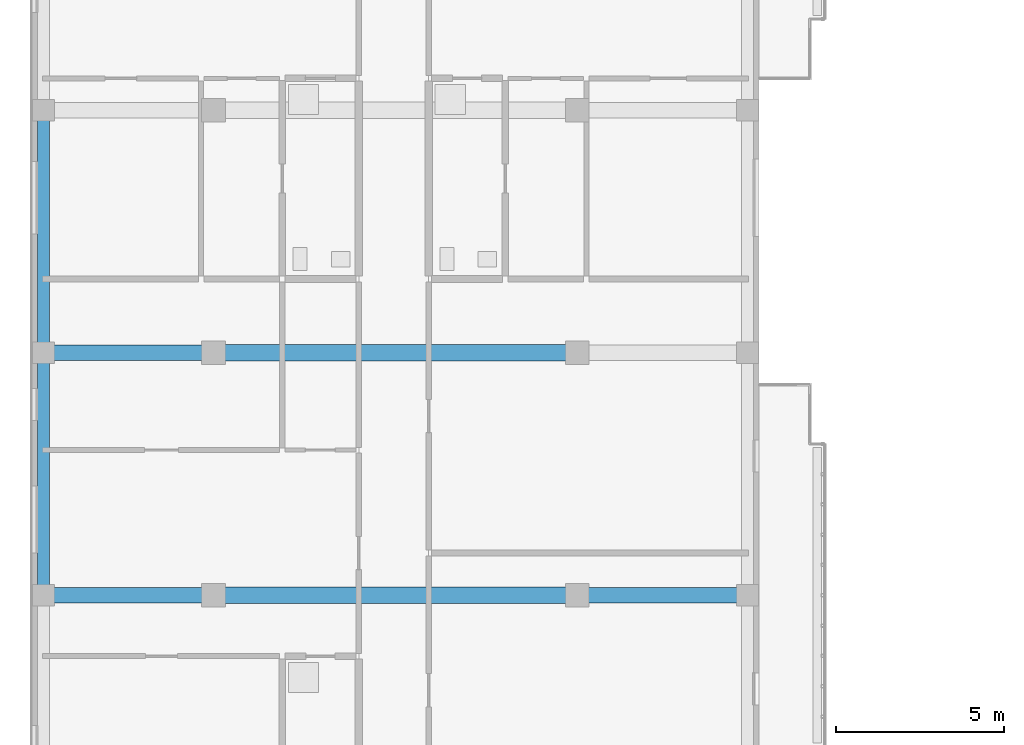
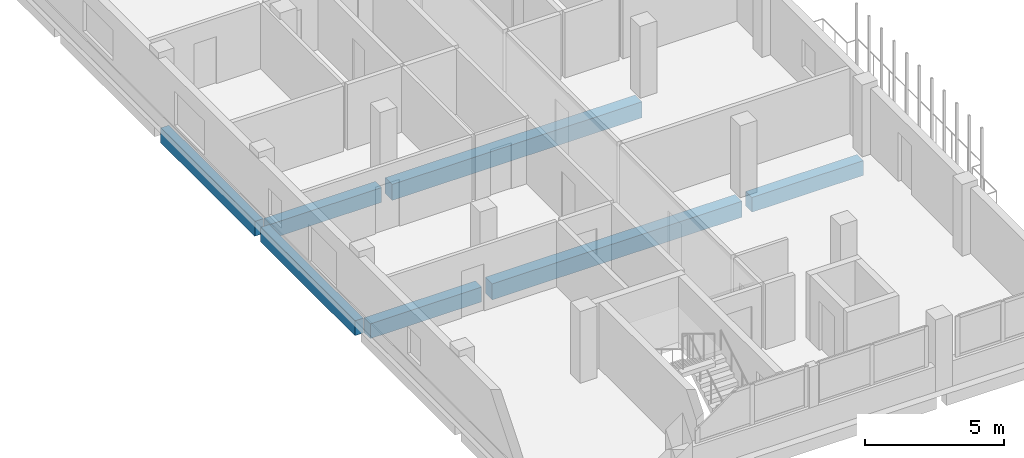
# One storey, part 10 of 51: 7 beams.
"""IFC4 building model written with IfcOpenShell, lengths in metres."""

from ifc_helpers import new_model, si_unit, derived_unit, direction, frame, origin, origin_2d, place, context, subcontext, project, spatial, rectangle, extrude, material, material_profile, profile_set, type_object, element, save


model = new_model("IFC4")

# Units and contexts
model_context = context("Model", 3, precision=1e-05, world=origin(), true_north=direction((0.0, 1.0)))
body_context = subcontext(model_context, "Body", "Model", "MODEL_VIEW")
ifc_project = project(units=[si_unit("LENGTHUNIT", "METRE"), si_unit("AREAUNIT", "SQUARE_METRE"), si_unit("VOLUMEUNIT", "CUBIC_METRE"), si_unit("PLANEANGLEUNIT", "RADIAN"), si_unit("MASSUNIT", "GRAM", prefix="KILO"), derived_unit("THERMALTRANSMITTANCEUNIT", [(si_unit("MASSUNIT", "GRAM", prefix="KILO"), 1), (si_unit("TIMEUNIT", "SECOND"), -3), (si_unit("THERMODYNAMICTEMPERATUREUNIT", "KELVIN"), -1)])], contexts=[model_context])

# Site, building, storey
site_placement = place(None, origin())
site = spatial("IfcSite", under=ifc_project, at=site_placement, CompositionType="ELEMENT")
building_placement = place(site_placement, origin())
building = spatial("IfcBuilding", under=site, at=building_placement, Name="Ochrekiln Boulevard Commons", CompositionType="ELEMENT")
storey_placement = place(building_placement, frame((0.0, 0.0, 18.375)))
storey = spatial("IfcBuildingStorey", under=building, at=storey_placement, Name="L05", CompositionType="ELEMENT", Elevation=18.375)

# Beams
ifc_material_1 = material(Name="Concrete C35/45", Category="concrete")
ifc_material_profile_1 = material_profile(ifc_material_1, rectangle(XDim=0.449951171875, YDim=0.64990234375, at=origin_2d()), Name="RC-BM-450x650")
ifc_profile_set_1 = profile_set([ifc_material_profile_1], Name="Concrete C35/45")
beam_type_1 = type_object("IfcBeamType", Name="BM-RC-450x650", PredefinedType="BEAM", material=ifc_profile_set_1)
beam_1_placement = place(storey_placement, frame((0.56005859375, 82.800048828125, -0.5849609375), z_axis=(1.0, 0.0, 0.0), x_axis=(0.0, 1.0, 0.0)))
element("IfcBeam", 1, at=beam_1_placement, inside=storey, type_object=beam_type_1, Name="Block A L05 Beam B-4565 X6", PredefinedType="BEAM", context=body_context, shape_type="SweptSolid", body=[
    extrude(rectangle(XDim=0.449951171875, YDim=0.64990234375, at=origin_2d()), origin(), (0.0, 0.0, 1.0), 4.6298828125),
])
beam_2_placement = place(storey_placement, frame((16.409912109375, 82.800048828125, -0.5849609375), z_axis=(1.0, 0.0, 0.0), x_axis=(0.0, 1.0, 0.0)))
element("IfcBeam", 2, at=beam_2_placement, inside=storey, type_object=beam_type_1, Name="Block A L05 Beam B-4565 X8", PredefinedType="BEAM", context=body_context, shape_type="SweptSolid", body=[
    extrude(rectangle(XDim=0.449951171875, YDim=0.64990234375, at=origin_2d()), origin(), (0.0, 0.0, 1.0), 4.630126953125),
])
beam_3_placement = place(storey_placement, frame((0.56005859375, 90.0, -0.5849609375), z_axis=(1.0, 0.0, 0.0), x_axis=(0.0, 1.0, 0.0)))
element("IfcBeam", 3, at=beam_3_placement, inside=storey, type_object=beam_type_1, Name="Block A L05 Beam B-4565 X9", PredefinedType="BEAM", context=body_context, shape_type="SweptSolid", body=[
    extrude(rectangle(XDim=0.449951171875, YDim=0.64990234375, at=origin_2d()), origin(), (0.0, 0.0, 1.0), 4.6298828125),
])
ifc_material_2 = material(Name="Concrete C40/50", Category="concrete")
ifc_material_profile_2 = material_profile(ifc_material_2, rectangle(XDim=0.5, YDim=0.699951171875, at=origin_2d()), Name="RC-BM-500x700")
ifc_profile_set_2 = profile_set([ifc_material_profile_2], Name="Concrete C40/50")
beam_type_2 = type_object("IfcBeamType", Name="BM-RC-500x700", PredefinedType="BEAM", material=ifc_profile_set_2)
for number, where, z_axis, x_axis, name in (
    (4, (5.610107421875, 82.800048828125, -0.610107421875), (1.0, 0.0, 0.0), (0.0, 1.0, 0.0), "Block A L05 Beam B-5070 X7"),
    (5, (5.610107421875, 90.0, -0.610107421875), (1.0, 0.0, 0.0), (0.0, 1.0, 0.0), "Block A L05 Beam B-5070 X10"),
):
    element("IfcBeam", number, at=place(storey_placement, frame(where, z_axis=z_axis, x_axis=x_axis)), inside=storey, type_object=beam_type_2, Name=name, PredefinedType="BEAM", context=body_context, shape_type="SweptSolid", body=[
        extrude(rectangle(XDim=0.5, YDim=0.699951171875, at=origin_2d()), origin(), (0.0, 0.0, 1.0), 10.3798828125),
    ])
ifc_material_profile_3 = material_profile(ifc_material_2, rectangle(XDim=0.35009765625, YDim=0.64990234375, at=origin_2d()), Name="RC-SPN-350x650")
ifc_profile_set_3 = profile_set([ifc_material_profile_3], Name="Concrete C40/50")
beam_type_3 = type_object("IfcBeamType", Name="SPN-RC-350x650", PredefinedType="SPANDREL", material=ifc_profile_set_3)
for number, where, z_axis, x_axis, name in (
    (6, (0.35009765625, 83.010009765625, -0.5849609375), (0.0, 1.0, 0.0), (-1.0, 0.0, 0.0), "Block A L05 Beam SP-3565 Y25"),
    (7, (0.35009765625, 90.2099609375, -0.5849609375), (0.0, 1.0, 0.0), (-1.0, 0.0, 0.0), "Block A L05 Beam SP-3565 Y26"),
):
    element("IfcBeam", number, at=place(storey_placement, frame(where, z_axis=z_axis, x_axis=x_axis)), inside=storey, type_object=beam_type_3, Name=name, PredefinedType="SPANDREL", context=body_context, shape_type="SweptSolid", body=[
        extrude(rectangle(XDim=0.35009765625, YDim=0.64990234375, at=origin_2d()), origin(), (0.0, 0.0, 1.0), 6.780029296875),
    ])

save(model, "model.ifc")
